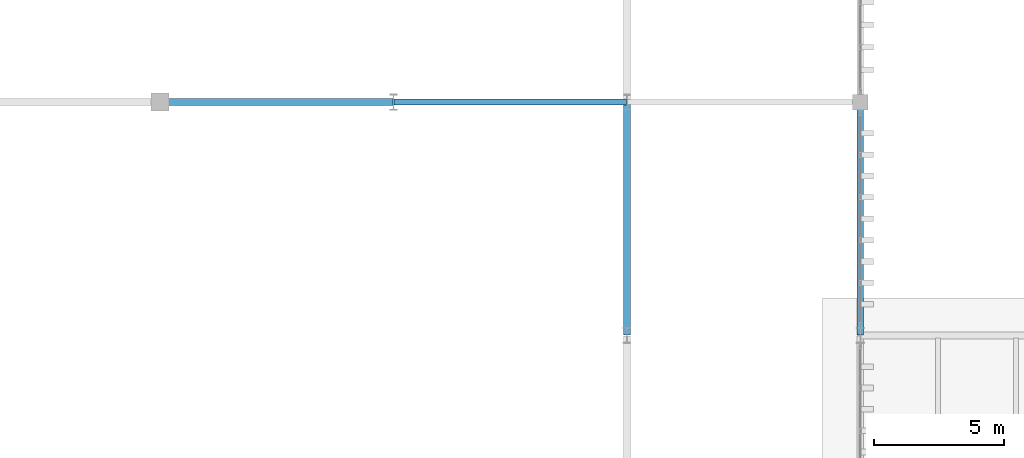
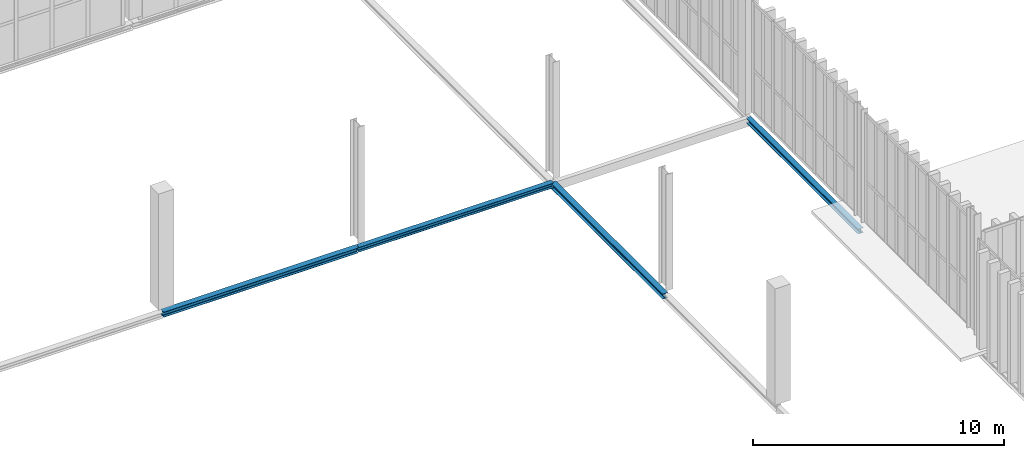
# One storey, part 106 of 237: 4 beams.
"""IFC4 building model written with IfcOpenShell, lengths in metres."""

from ifc_helpers import new_model, si_unit, direction, frame, origin, origin_2d, place, context, subcontext, project, spatial, i_section, extrude, material, material_profile, profile_set, type_object, element, save


model = new_model("IFC4")

# Units and contexts
model_context = context("Model", 3, precision=1e-05, world=origin(), true_north=direction((0.0, 1.0)))
body_context = subcontext(model_context, "Body", "Model", "MODEL_VIEW")
ifc_project = project(units=[si_unit("LENGTHUNIT", "METRE"), si_unit("AREAUNIT", "SQUARE_METRE"), si_unit("VOLUMEUNIT", "CUBIC_METRE"), si_unit("PLANEANGLEUNIT", "RADIAN"), si_unit("MASSUNIT", "GRAM", prefix="KILO")], contexts=[model_context])

# Site, building, storey
site_placement = place(None, origin())
site = spatial("IfcSite", under=ifc_project, at=site_placement, CompositionType="ELEMENT")
building_placement = place(site_placement, origin())
building = spatial("IfcBuilding", under=site, at=building_placement, Name="Barlavento Convention Centre", CompositionType="ELEMENT")
storey_placement = place(building_placement, frame((0.0, 0.0, 12.0)))
storey = spatial("IfcBuildingStorey", under=building, at=storey_placement, Name="L02", CompositionType="ELEMENT", Elevation=12.0)

# Beams
ifc_material = material(Name="Steel S355", Category="steel")
ifc_material_profile_1 = material_profile(ifc_material, i_section(OverallWidth=0.239990234375, OverallDepth=0.22998046875, WebThickness=0.007568359375, FlangeThickness=0.011962890625, FilletRadius=0.02099609375, at=origin_2d()), Name="HEA 240")
ifc_profile_set_1 = profile_set([ifc_material_profile_1], Name="Steel S355")
beam_type_1 = type_object("IfcBeamType", Name="STR-BM-SPN-HEA240", PredefinedType="SPANDREL", material=ifc_profile_set_1)
for number, where, z_axis, x_axis, name in (
    (1, (108.02001953125, 117.0, -0.47509765625), (1.0, 0.0, 0.0), (0.0, 1.0, 0.0), "L02 primary girder SP05"),
    (2, (126.0, 108.02001953125, -0.47998046875), (0.0, 1.0, 0.0), (-1.0, 0.0, 0.0), "L02 grid girder SP05"),
):
    element("IfcBeam", number, at=place(storey_placement, frame(where, z_axis=z_axis, x_axis=x_axis)), inside=storey, type_object=beam_type_1, Name=name, PredefinedType="SPANDREL", context=body_context, shape_type="SweptSolid", body=[
        extrude(i_section(OverallWidth=0.239990234375, OverallDepth=0.22998046875, WebThickness=0.007568359375, FlangeThickness=0.011962890625, FilletRadius=0.02099609375, at=origin_2d()), origin(), (0.0, 0.0, 1.0), 8.9599609375),
    ])
ifc_material_profile_2 = material_profile(ifc_material, i_section(OverallWidth=0.260009765625, OverallDepth=0.25, WebThickness=0.007568359375, FlangeThickness=0.012451171875, FilletRadius=0.02392578125, at=origin_2d()), Name="HEA 260")
ifc_profile_set_2 = profile_set([ifc_material_profile_2], Name="Steel S355")
beam_type_2 = type_object("IfcBeamType", Name="STR-BM-SPN-HEA260", PredefinedType="SPANDREL", material=ifc_profile_set_2)
for number, where, z_axis, x_axis, name in (
    (3, (99.02001953125, 117.0, -0.485107421875), (1.0, 0.0, 0.0), (0.0, 1.0, 0.0), "L02 primary girder SP04"),
    (4, (117.0, 108.02001953125, -0.485107421875), (0.0, 1.0, 0.0), (-1.0, 0.0, 0.0), "L02 grid girder SP04"),
):
    element("IfcBeam", number, at=place(storey_placement, frame(where, z_axis=z_axis, x_axis=x_axis)), inside=storey, type_object=beam_type_2, Name=name, PredefinedType="SPANDREL", context=body_context, shape_type="SweptSolid", body=[
        extrude(i_section(OverallWidth=0.260009765625, OverallDepth=0.25, WebThickness=0.007568359375, FlangeThickness=0.012451171875, FilletRadius=0.02392578125, at=origin_2d()), origin(), (0.0, 0.0, 1.0), 8.9599609375),
    ])

save(model, "model.ifc")
